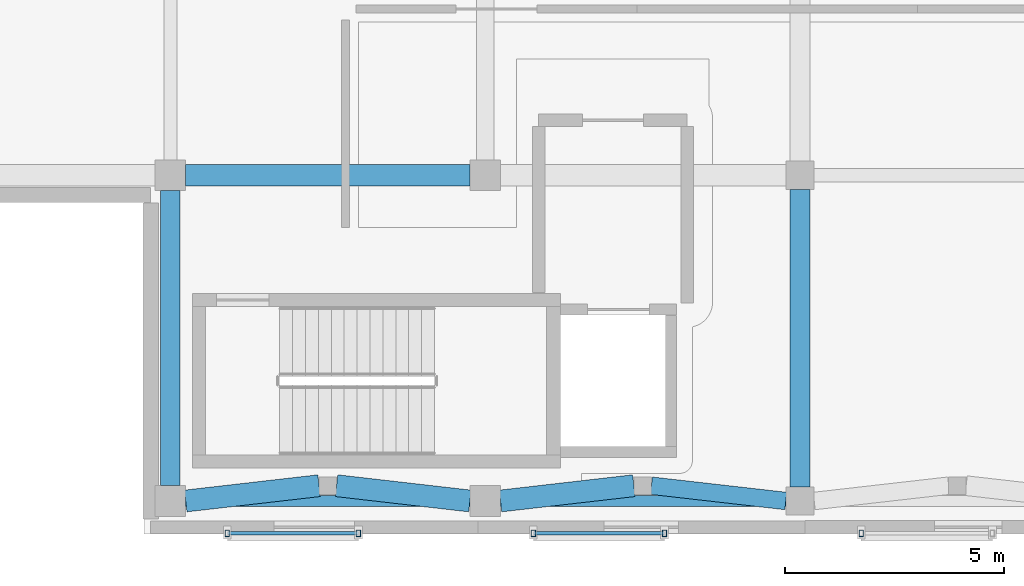
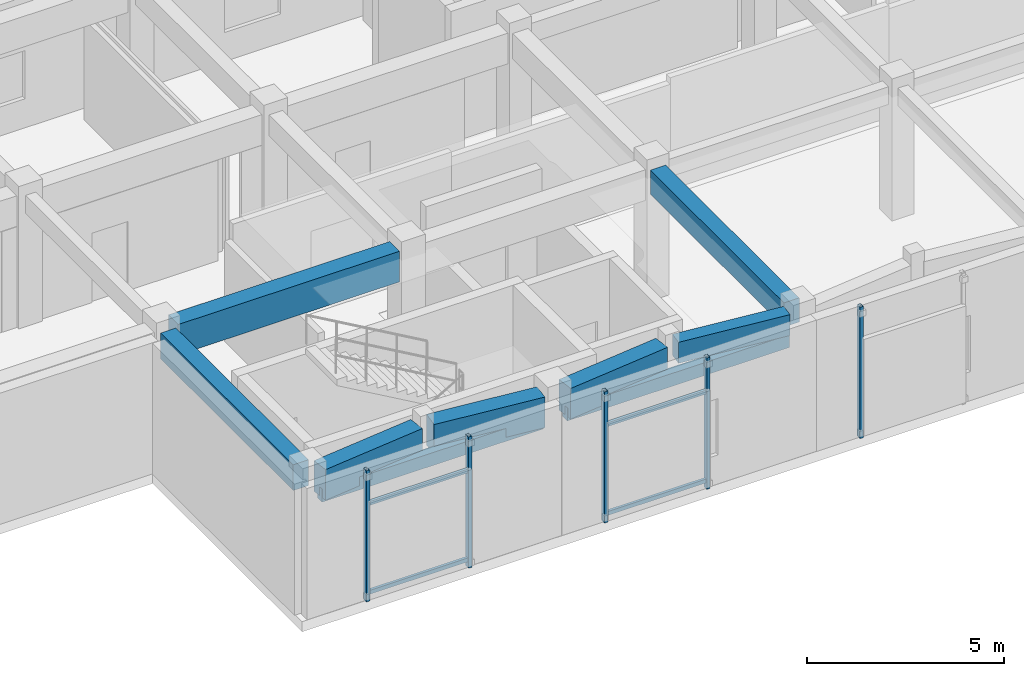
# One storey, part 16 of 142: 9 beams, 9 members.
"""IFC4 building model written with IfcOpenShell, lengths in metres."""

from ifc_helpers import new_model, si_unit, direction, frame, origin, origin_2d, place, context, subcontext, project, spatial, rectangle, hollow_rectangle, extrude, material, material_profile, profile_set, type_object, element, save


model = new_model("IFC4")

# Units and contexts
model_context = context("Model", 3, precision=1e-05, world=origin(), true_north=direction((0.0, 1.0)))
body_context = subcontext(model_context, "Body", "Model", "MODEL_VIEW")
ifc_project = project(units=[si_unit("LENGTHUNIT", "METRE"), si_unit("AREAUNIT", "SQUARE_METRE"), si_unit("VOLUMEUNIT", "CUBIC_METRE"), si_unit("PLANEANGLEUNIT", "RADIAN"), si_unit("MASSUNIT", "GRAM", prefix="KILO")], contexts=[model_context])

# Site, building, storey
site_placement = place(None, origin())
site = spatial("IfcSite", under=ifc_project, at=site_placement, CompositionType="ELEMENT")
building_placement = place(site_placement, origin())
building = spatial("IfcBuilding", under=site, at=building_placement, Name="Valcora Specialist Clinic", CompositionType="ELEMENT")
storey_placement = place(building_placement, frame((0.0, 0.0, 5.10009765625)))
storey = spatial("IfcBuildingStorey", under=building, at=storey_placement, Name="L01", CompositionType="ELEMENT", Elevation=5.10009765625)

# Beams
ifc_material_1 = material(Name="Concrete C40/50", Category="concrete")
ifc_material_profile_1 = material_profile(ifc_material_1, rectangle(XDim=0.39990234375, YDim=0.64990234375, at=origin_2d()), Name="RC-BM-400X650")
ifc_profile_set_1 = profile_set([ifc_material_profile_1], Name="Concrete C40/50")
beam_type_1 = type_object("IfcBeamType", Name="TY-BM-RC400X650", PredefinedType="BEAM", material=ifc_profile_set_1)
beam_1_placement = place(storey_placement, frame((27.199951171875, 1.10009765625, 3.75), z_axis=(0.993580893822, -0.113123858812, 0.0), x_axis=(0.113123858812, 0.993580893822, 0.0)))
element("IfcBeam", 1, at=beam_1_placement, inside=storey, type_object=beam_type_1, Name="Beam BM-L01-0933", PredefinedType="BEAM", context=body_context, shape_type="SweptSolid", body=[
    extrude(rectangle(XDim=0.39990234375, YDim=0.64990234375, at=origin_2d()), origin(), (0.0, 0.0, 1.0), 3.0947265625),
])
ifc_material_profile_2 = material_profile(ifc_material_1, rectangle(XDim=0.449951171875, YDim=0.75, at=origin_2d()), Name="RC-BM-450X750")
ifc_profile_set_2 = profile_set([ifc_material_profile_2], Name="Concrete C40/50")
beam_type_2 = type_object("IfcBeamType", Name="TY-BM-RC450X750", PredefinedType="BEAM", material=ifc_profile_set_2)
beam_2_placement = place(storey_placement, frame((30.60009765625, 1.074951171875, 3.699951171875), z_axis=(0.0, 1.0, 0.0), x_axis=(-1.0, 0.0, 0.0)))
element("IfcBeam", 2, at=beam_2_placement, inside=storey, type_object=beam_type_2, Name="Beam BM-L01-0969", PredefinedType="BEAM", context=body_context, shape_type="SweptSolid", body=[
    extrude(rectangle(XDim=0.449951171875, YDim=0.75, at=origin_2d()), origin(), (0.0, 0.0, 1.0), 6.800048828125),
])
ifc_material_profile_3 = material_profile(ifc_material_1, rectangle(XDim=0.449951171875, YDim=0.800048828125, at=origin_2d()), Name="RC-BM-450X800")
ifc_profile_set_3 = profile_set([ifc_material_profile_3], Name="Concrete C40/50")
beam_type_3 = type_object("IfcBeamType", Name="TY-BM-RC450X800", PredefinedType="BEAM", material=ifc_profile_set_3)
beam_3_placement = place(storey_placement, frame((16.199951171875, 1.10009765625, 3.6748046875), z_axis=(0.0, 1.0, 0.0), x_axis=(-1.0, 0.0, 0.0)))
element("IfcBeam", 3, at=beam_3_placement, inside=storey, type_object=beam_type_3, Name="Beam BM-L01-0964", PredefinedType="BEAM", context=body_context, shape_type="SweptSolid", body=[
    extrude(rectangle(XDim=0.449951171875, YDim=0.800048828125, at=origin_2d()), origin(), (0.0, 0.0, 1.0), 6.75),
])
ifc_material_profile_4 = material_profile(ifc_material_1, rectangle(XDim=0.5, YDim=0.949951171875, at=origin_2d()), Name="RC-BM-500X950")
ifc_profile_set_4 = profile_set([ifc_material_profile_4], Name="Concrete C40/50")
beam_type_4 = type_object("IfcBeamType", Name="TY-BM-TR500X950", PredefinedType="BEAM", material=ifc_profile_set_4)
for number, where, z_axis, x_axis, name in (
    (4, (16.550048828125, 0.75, 3.599853515625), (0.993476675025, 0.114035504041, 0.0), (-0.114035504041, 0.993476675025, 0.0), "Beam BM-L01-0930"),
    (5, (20.0, 1.10009765625, 3.599853515625), (0.993476675025, -0.114035504041, 0.0), (0.114035504041, 0.993476675025, 0.0), "Beam BM-L01-0931"),
    (6, (23.75, 0.75, 3.599853515625), (0.993476675025, 0.114035504041, 0.0), (-0.114035504041, 0.993476675025, 0.0), "Beam BM-L01-0932"),
):
    element("IfcBeam", number, at=place(storey_placement, frame(where, z_axis=z_axis, x_axis=x_axis)), inside=storey, type_object=beam_type_4, Name=name, PredefinedType="BEAM", context=body_context, shape_type="SweptSolid", body=[
        extrude(rectangle(XDim=0.5, YDim=0.949951171875, at=origin_2d()), origin(), (0.0, 0.0, 1.0), 3.070068359375),
    ])
beam_4_placement = place(storey_placement, frame((16.550048828125, 8.199951171875, 3.599853515625), z_axis=(1.0, 0.0, 0.0), x_axis=(0.0, 1.0, 0.0)))
element("IfcBeam", 7, at=beam_4_placement, inside=storey, type_object=beam_type_4, Name="Beam BM-L01-0941", PredefinedType="BEAM", context=body_context, shape_type="SweptSolid", body=[
    extrude(rectangle(XDim=0.5, YDim=0.949951171875, at=origin_2d()), origin(), (0.0, 0.0, 1.0), 6.5),
])
ifc_material_profile_5 = material_profile(ifc_material_1, rectangle(XDim=0.25, YDim=0.39990234375, at=origin_2d()), Name="RC-LN-250X400")
ifc_profile_set_5 = profile_set([ifc_material_profile_5], Name="Concrete C40/50")
beam_type_5 = type_object("IfcBeamType", Name="TY-LN-RC250X400", PredefinedType="LINTEL", material=ifc_profile_set_5)
beam_5_placement = place(storey_placement, frame((16.550048828125, 0.75, 3.199951171875), z_axis=(1.0, 0.0, 0.0), x_axis=(0.0, 1.0, 0.0)))
element("IfcBeam", 8, at=beam_5_placement, inside=storey, type_object=beam_type_5, Name="Facade lintel 1 BM-L01-1645", PredefinedType="LINTEL", context=body_context, shape_type="SweptSolid", body=[
    extrude(rectangle(XDim=0.25, YDim=0.39990234375, at=origin_2d()), origin(), (0.0, 0.0, 1.0), 6.5),
])
beam_6_placement = place(storey_placement, frame((23.75, 0.75, 3.199951171875), z_axis=(1.0, 0.0, 0.0), x_axis=(0.0, 1.0, 0.0)))
element("IfcBeam", 9, at=beam_6_placement, inside=storey, type_object=beam_type_5, Name="Facade lintel 2 BM-L01-1646", PredefinedType="LINTEL", context=body_context, shape_type="SweptSolid", body=[
    extrude(rectangle(XDim=0.25, YDim=0.39990234375, at=origin_2d()), origin(), (0.0, 0.0, 1.0), 6.52490234375),
])

# Members
ifc_material_2 = material(Name="Steel ASTM A500 Grade C", Category="steel")
ifc_material_profile_6 = material_profile(ifc_material_2, hollow_rectangle(XDim=0.10009765625, YDim=0.14990234375, WallThickness=0.006103515625, at=origin_2d()), Name="ST-RHS-150X100X6")
ifc_profile_set_6 = profile_set([ifc_material_profile_6], Name="Steel ASTM A500 Grade C")
member_type_1 = type_object("IfcMemberType", Name="TY-MB-SFPOST", PredefinedType="POST", material=ifc_profile_set_6)
for number, where, z_axis, x_axis, name in (
    (10, (17.5, 0.010009765625, 0.0), (0.0, 0.0, 1.0), (1.0, 0.0, 0.0), "Brick screen carrier post 41"),
    (11, (20.5, 0.010009765625, 0.0), (0.0, 0.0, 1.0), (1.0, 0.0, 0.0), "Brick screen carrier post 42"),
    (12, (24.5, 0.010009765625, 0.0), (0.0, 0.0, 1.0), (1.0, 0.0, 0.0), "Brick screen carrier post 45"),
    (13, (27.5, 0.010009765625, 0.0), (0.0, 0.0, 1.0), (1.0, 0.0, 0.0), "Brick screen carrier post 46"),
    (14, (32.0, 0.010009765625, 0.0), (0.0, 0.0, 1.0), (1.0, 0.0, 0.0), "Brick screen carrier post 49"),
):
    element("IfcMember", number, at=place(storey_placement, frame(where, z_axis=z_axis, x_axis=x_axis)), inside=storey, type_object=member_type_1, Name=name, PredefinedType="POST", context=body_context, shape_type="SweptSolid", body=[
        extrude(hollow_rectangle(XDim=0.10009765625, YDim=0.14990234375, WallThickness=0.006103515625, at=origin_2d()), origin(), (0.0, 0.0, 1.0), 4.074951171875),
    ])
ifc_material_profile_7 = material_profile(ifc_material_2, hollow_rectangle(XDim=0.080078125, YDim=0.1201171875, WallThickness=0.0048828125, at=origin_2d()), Name="ST-RHS-120X80X5")
ifc_profile_set_7 = profile_set([ifc_material_profile_7], Name="Steel ASTM A500 Grade C")
member_type_2 = type_object("IfcMemberType", Name="TY-MB-SFRAIL", PredefinedType="STRINGER", material=ifc_profile_set_7)
for number, where, z_axis, x_axis, name in (
    (15, (17.5, 0.010009765625, 0.239990234375), (1.0, 0.0, 0.0), (0.0, 1.0, 0.0), "Brick screen carrier rail 43"),
    (16, (17.5, 0.010009765625, 3.0), (1.0, 0.0, 0.0), (0.0, 1.0, 0.0), "Brick screen carrier rail 44"),
    (17, (24.5, 0.010009765625, 0.239990234375), (1.0, 0.0, 0.0), (0.0, 1.0, 0.0), "Brick screen carrier rail 47"),
    (18, (24.5, 0.010009765625, 3.0), (1.0, 0.0, 0.0), (0.0, 1.0, 0.0), "Brick screen carrier rail 48"),
):
    element("IfcMember", number, at=place(storey_placement, frame(where, z_axis=z_axis, x_axis=x_axis)), inside=storey, type_object=member_type_2, Name=name, PredefinedType="STRINGER", context=body_context, shape_type="SweptSolid", body=[
        extrude(hollow_rectangle(XDim=0.080078125, YDim=0.1201171875, WallThickness=0.0048828125, at=origin_2d()), origin(), (0.0, 0.0, 1.0), 3.0),
    ])

save(model, "model.ifc")
